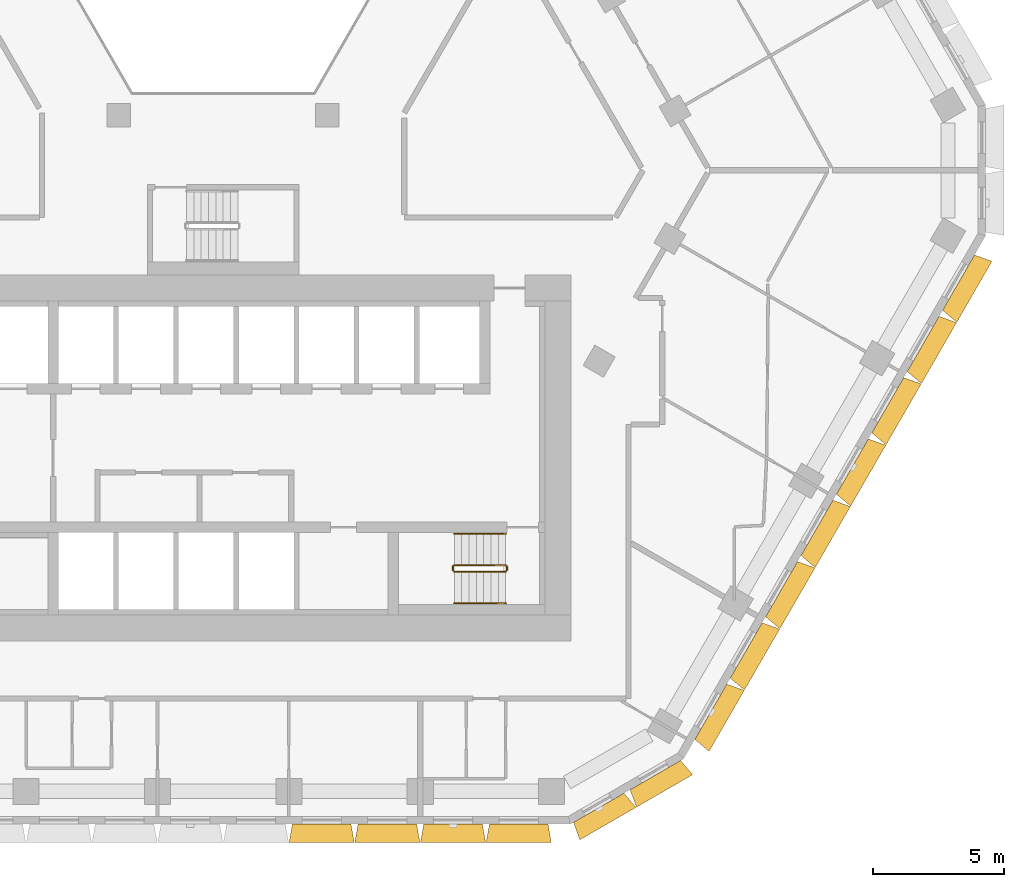
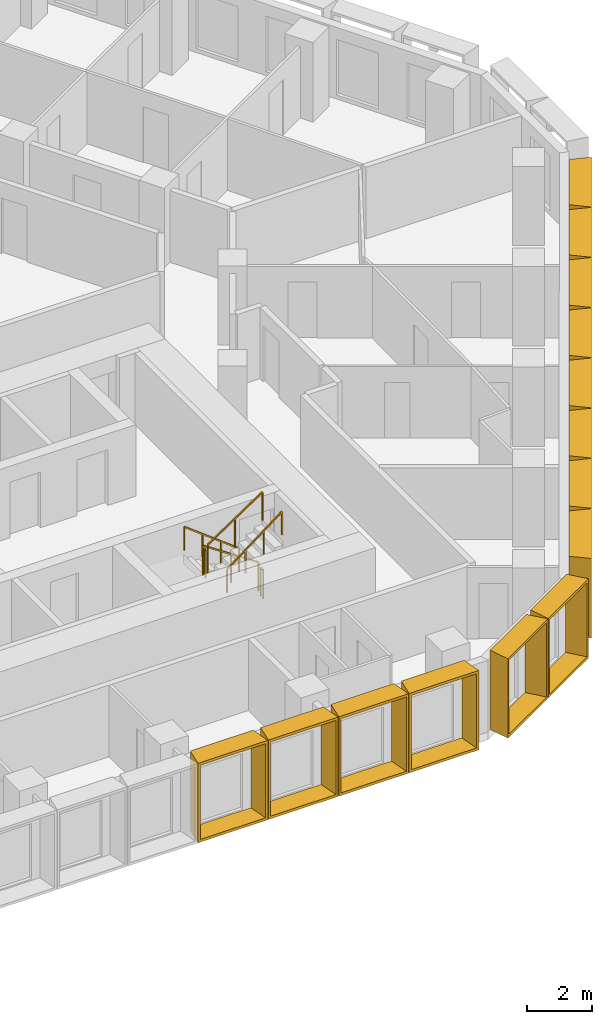
# One storey, part 17 of 18: 14 shading devices, 6 railings.
"""IFC4 building model written with IfcOpenShell, lengths in metres."""

from ifc_helpers import new_model, entity, si_unit, direction, frame, origin, origin_2d, place, context, subcontext, project, spatial, rectangle, extrude, source, transform, mapped, material, type_object, type_shapes, element, save


model = new_model("IFC4")

# Units and contexts
model_context = context("Model", 3, precision=1e-05, world=origin(), true_north=direction((0.0, 1.0)))
body_context = subcontext(model_context, "Body", "Model", "MODEL_VIEW")
ifc_project = project(units=[si_unit("LENGTHUNIT", "METRE"), si_unit("AREAUNIT", "SQUARE_METRE"), si_unit("VOLUMEUNIT", "CUBIC_METRE"), si_unit("PLANEANGLEUNIT", "RADIAN"), si_unit("MASSUNIT", "GRAM", prefix="KILO")], contexts=[model_context])

# Site, building, storey
site_placement = place(None, origin())
site = spatial("IfcSite", under=ifc_project, at=site_placement, CompositionType="ELEMENT")
building_placement = place(site_placement, origin())
building = spatial("IfcBuilding", under=site, at=building_placement, Name="Beryl Residences", CompositionType="ELEMENT")
storey_placement = place(building_placement, frame((0.0, 0.0, 99.0)))
storey = spatial("IfcBuildingStorey", under=building, at=storey_placement, Name="L30", CompositionType="ELEMENT", Elevation=99.0)

# Shading devices
ifc_material_1 = material(Name="Aluminium pale anodised", Category="aluminium")
shading_device_type_1 = type_object("IfcShadingDeviceType", Name="FR250-70A OUTER SKIN frame 700 mm deep, splay 10/10 deg, 2500 x 3000 mm cell", PredefinedType="USERDEFINED", material=ifc_material_1)
cartesian_point_1 = entity("IfcCartesianPoint", [-1.116455078125, 0.0])
cartesian_point_2 = entity("IfcCartesianPoint", [-1.03515625, 0.10009765625])
cartesian_point_3 = entity("IfcCartesianPoint", [-1.239990234375, 0.0])
cartesian_point_4 = entity("IfcCartesianPoint", [-1.15869140625, 0.10009765625])
shared_shape_1 = source(origin(), body_context, "Body", "SweptSolid", [
    entity("IfcExtrudedAreaSolidTapered", entity("IfcArbitraryProfileDefWithVoids", "AREA", None, entity("IfcPolyline", [cartesian_point_1, entity("IfcCartesianPoint", [1.116455078125, 0.0]), entity("IfcCartesianPoint", [1.116455078125, 3.0]), entity("IfcCartesianPoint", [-1.116455078125, 3.0]), cartesian_point_1]), [entity("IfcPolyline", [cartesian_point_2, entity("IfcCartesianPoint", [1.03515625, 0.10009765625]), entity("IfcCartesianPoint", [1.03515625, 2.89990234375]), entity("IfcCartesianPoint", [-1.03515625, 2.89990234375]), cartesian_point_2])]), entity("IfcAxis2Placement3D", entity("IfcCartesianPoint", [0.0, 0.0, 0.0]), entity("IfcDirection", [0.0, 1.0, 0.0]), entity("IfcDirection", [-1.0, 0.0, 0.0])), entity("IfcDirection", [0.0, 0.0, 1.0]), 0.699951171875, entity("IfcArbitraryProfileDefWithVoids", "AREA", None, entity("IfcPolyline", [cartesian_point_3, entity("IfcCartesianPoint", [1.239990234375, 0.0]), entity("IfcCartesianPoint", [1.239990234375, 3.0]), entity("IfcCartesianPoint", [-1.239990234375, 3.0]), cartesian_point_3]), [entity("IfcPolyline", [cartesian_point_4, entity("IfcCartesianPoint", [1.15869140625, 0.10009765625]), entity("IfcCartesianPoint", [1.15869140625, 2.89990234375]), entity("IfcCartesianPoint", [-1.15869140625, 2.89990234375]), cartesian_point_4])])),
])
type_shapes(shading_device_type_1, [shared_shape_1])
for number, where, z_axis, x_axis, name in (
    (1, (14.361083984375, -25.375, 0.0), (0.0, 0.0, 1.0), (-0.866025403784, -0.5, 0.0), "FR250-70A frame L30 S-SE 1"),
    (2, (16.527099609375, -24.125, 0.0), (0.0, 0.0, 1.0), (-0.866025403784, -0.5, 0.0), "FR250-70A frame L30 S-SE 2"),
):
    element("IfcShadingDevice", number, at=place(storey_placement, frame(where, z_axis=z_axis, x_axis=x_axis)), inside=storey, type_object=shading_device_type_1, Name=name, ObjectType="OUTER SKIN", PredefinedType="USERDEFINED", context=body_context, shape_type="MappedRepresentation", body=[
        mapped(shared_shape_1, transform((0.0, 0.0, 0.0))),
    ])
ifc_material_2 = material(Name="Aluminium pale anodised", Category="aluminium")
shading_device_type_2 = type_object("IfcShadingDeviceType", Name="FR251-70A OUTER SKIN frame 700 mm deep, splay 10/10 deg, 2510 x 3000 mm cell", PredefinedType="USERDEFINED", material=ifc_material_2)
cartesian_point_5 = entity("IfcCartesianPoint", [-1.12158203125, 0.0])
cartesian_point_6 = entity("IfcCartesianPoint", [-1.040283203125, 0.10009765625])
cartesian_point_7 = entity("IfcCartesianPoint", [-1.244873046875, 0.0])
cartesian_point_8 = entity("IfcCartesianPoint", [-1.16357421875, 0.10009765625])
shared_shape_2 = source(origin(), body_context, "Body", "SweptSolid", [
    entity("IfcExtrudedAreaSolidTapered", entity("IfcArbitraryProfileDefWithVoids", "AREA", None, entity("IfcPolyline", [cartesian_point_5, entity("IfcCartesianPoint", [1.12158203125, 0.0]), entity("IfcCartesianPoint", [1.12158203125, 3.0]), entity("IfcCartesianPoint", [-1.12158203125, 3.0]), cartesian_point_5]), [entity("IfcPolyline", [cartesian_point_6, entity("IfcCartesianPoint", [1.040283203125, 0.10009765625]), entity("IfcCartesianPoint", [1.040283203125, 2.89990234375]), entity("IfcCartesianPoint", [-1.040283203125, 2.89990234375]), cartesian_point_6])]), entity("IfcAxis2Placement3D", entity("IfcCartesianPoint", [0.0, 0.0, 0.0]), entity("IfcDirection", [0.0, 1.0, 0.0]), entity("IfcDirection", [-1.0, 0.0, 0.0])), entity("IfcDirection", [0.0, 0.0, 1.0]), 0.699951171875, entity("IfcArbitraryProfileDefWithVoids", "AREA", None, entity("IfcPolyline", [cartesian_point_7, entity("IfcCartesianPoint", [1.244873046875, 0.0]), entity("IfcCartesianPoint", [1.244873046875, 3.0]), entity("IfcCartesianPoint", [-1.244873046875, 3.0]), cartesian_point_7]), [entity("IfcPolyline", [cartesian_point_8, entity("IfcCartesianPoint", [1.16357421875, 0.10009765625]), entity("IfcCartesianPoint", [1.16357421875, 2.89990234375]), entity("IfcCartesianPoint", [-1.16357421875, 2.89990234375]), cartesian_point_8])])),
])
type_shapes(shading_device_type_2, [shared_shape_2])
for number, where, z_axis, x_axis, name in (
    (3, (3.76806640625, -26.0, 0.0), (0.0, 0.0, 1.0), (-1.0, 0.0, 0.0), "FR251-70A frame L30 S 7"),
    (4, (6.279052734375, -26.0, 0.0), (0.0, 0.0, 1.0), (-1.0, 0.0, 0.0), "FR251-70A frame L30 S 8"),
    (5, (8.791015625, -26.0, 0.0), (0.0, 0.0, 1.0), (-1.0, 0.0, 0.0), "FR251-70A frame L30 S 9"),
    (6, (11.302001953125, -26.0, 0.0), (0.0, 0.0, 1.0), (-1.0, 0.0, 0.0), "FR251-70A frame L30 S 10"),
):
    element("IfcShadingDevice", number, at=place(storey_placement, frame(where, z_axis=z_axis, x_axis=x_axis)), inside=storey, type_object=shading_device_type_2, Name=name, ObjectType="OUTER SKIN", PredefinedType="USERDEFINED", context=body_context, shape_type="MappedRepresentation", body=[
        mapped(shared_shape_2, transform((0.0, 0.0, 0.0))),
    ])
ifc_material_3 = material(Name="Aluminium pale anodised", Category="aluminium")
shading_device_type_3 = type_object("IfcShadingDeviceType", Name="FR271-70A OUTER SKIN frame 700 mm deep, splay 10/10 deg, 2710 x 3000 mm cell", PredefinedType="USERDEFINED", material=ifc_material_3)
cartesian_point_9 = entity("IfcCartesianPoint", [-1.221435546875, 0.0])
cartesian_point_10 = entity("IfcCartesianPoint", [-1.140380859375, 0.10009765625])
cartesian_point_11 = entity("IfcCartesianPoint", [-1.344970703125, 0.0])
cartesian_point_12 = entity("IfcCartesianPoint", [-1.263671875, 0.10009765625])
shared_shape_3 = source(origin(), body_context, "Body", "SweptSolid", [
    entity("IfcExtrudedAreaSolidTapered", entity("IfcArbitraryProfileDefWithVoids", "AREA", None, entity("IfcPolyline", [cartesian_point_9, entity("IfcCartesianPoint", [1.221435546875, 0.0]), entity("IfcCartesianPoint", [1.221435546875, 3.0]), entity("IfcCartesianPoint", [-1.221435546875, 3.0]), cartesian_point_9]), [entity("IfcPolyline", [cartesian_point_10, entity("IfcCartesianPoint", [1.140380859375, 0.10009765625]), entity("IfcCartesianPoint", [1.140380859375, 2.89990234375]), entity("IfcCartesianPoint", [-1.140380859375, 2.89990234375]), cartesian_point_10])]), entity("IfcAxis2Placement3D", entity("IfcCartesianPoint", [0.0, 0.0, 0.0]), entity("IfcDirection", [0.0, 1.0, 0.0]), entity("IfcDirection", [-1.0, 0.0, 0.0])), entity("IfcDirection", [0.0, 0.0, 1.0]), 0.699951171875, entity("IfcArbitraryProfileDefWithVoids", "AREA", None, entity("IfcPolyline", [cartesian_point_11, entity("IfcCartesianPoint", [1.344970703125, 0.0]), entity("IfcCartesianPoint", [1.344970703125, 3.0]), entity("IfcCartesianPoint", [-1.344970703125, 3.0]), cartesian_point_11]), [entity("IfcPolyline", [cartesian_point_12, entity("IfcCartesianPoint", [1.263671875, 0.10009765625]), entity("IfcCartesianPoint", [1.263671875, 2.89990234375]), entity("IfcCartesianPoint", [-1.263671875, 2.89990234375]), cartesian_point_12])])),
])
type_shapes(shading_device_type_3, [shared_shape_3])
for number, where, z_axis, x_axis, name in (
    (7, (18.64697265625, -21.7041015625, 0.0), (0.0, 0.0, 1.0), (-0.5, -0.866025403784, 0.0), "FR271-70A frame L30 SE 1"),
    (8, (20.0, -19.360107421875, 0.0), (0.0, 0.0, 1.0), (-0.5, -0.866025403784, 0.0), "FR271-70A frame L30 SE 2"),
    (9, (21.35302734375, -17.01611328125, 0.0), (0.0, 0.0, 1.0), (-0.5, -0.866025403784, 0.0), "FR271-70A frame L30 SE 3"),
    (10, (22.7060546875, -14.672119140625, 0.0), (0.0, 0.0, 1.0), (-0.5, -0.866025403784, 0.0), "FR271-70A frame L30 SE 4"),
    (11, (24.06005859375, -12.327880859375, 0.0), (0.0, 0.0, 1.0), (-0.5, -0.866025403784, 0.0), "FR271-70A frame L30 SE 5"),
    (12, (25.4130859375, -9.98388671875, 0.0), (0.0, 0.0, 1.0), (-0.5, -0.866025403784, 0.0), "FR271-70A frame L30 SE 6"),
    (13, (26.76611328125, -7.639892578125, 0.0), (0.0, 0.0, 1.0), (-0.5, -0.866025403784, 0.0), "FR271-70A frame L30 SE 7"),
    (14, (28.118896484375, -5.2958984375, 0.0), (0.0, 0.0, 1.0), (-0.5, -0.866025403784, 0.0), "FR271-70A frame L30 SE 8"),
):
    element("IfcShadingDevice", number, at=place(storey_placement, frame(where, z_axis=z_axis, x_axis=x_axis)), inside=storey, type_object=shading_device_type_3, Name=name, ObjectType="OUTER SKIN", PredefinedType="USERDEFINED", context=body_context, shape_type="MappedRepresentation", body=[
        mapped(shared_shape_3, transform((0.0, 0.0, 0.0))),
    ])

# Railings
ifc_material_4 = material(Name="Stainless steel balustrade with glass infill", Category="steel")
railing_type_1 = type_object("IfcRailingType", Name="SG1 stair guard 1100 mm", PredefinedType="GUARDRAIL", material=ifc_material_4)
railing_1_placement = place(storey_placement, frame((10.800048828125, -16.10009765625, 0.1875)))
element("IfcRailing", 15, at=railing_1_placement, inside=storey, type_object=railing_type_1, Name="L30 ST-3 stair guard 1", PredefinedType="GUARDRAIL", context=body_context, shape_type="SweptSolid", body=[
    extrude(rectangle(XDim=0.048095703125, YDim=0.048095703125, at=origin_2d()), frame((0.0, 0.0, 1.076171875), z_axis=(-0.830902050051, 0.0, 0.556418712142), x_axis=(0.0, -1.0, 0.0)), (0.0, 0.0, 1.0), 2.35888671875),
    extrude(rectangle(XDim=0.0419921875, YDim=0.0419921875, at=origin_2d()), origin(), (0.0, 0.0, 1.0), 1.052001953125),
    extrude(rectangle(XDim=0.0419921875, YDim=0.0419921875, at=origin_2d()), frame((-0.97998046875, 0.0, 0.65625)), (0.0, 0.0, 1.0), 1.052001953125),
    extrude(rectangle(XDim=0.0419921875, YDim=0.0419921875, at=origin_2d()), frame((-1.9599609375, 0.0, 1.3125)), (0.0, 0.0, 1.0), 1.052001953125),
])
railing_2_placement = place(storey_placement, frame((8.7900390625, -16.14990234375, 1.5)))
element("IfcRailing", 16, at=railing_2_placement, inside=storey, type_object=railing_type_1, Name="L30 ST-3 stair guard 2", PredefinedType="GUARDRAIL", context=body_context, shape_type="SweptSolid", body=[
    extrude(rectangle(XDim=0.048095703125, YDim=0.048095703125, at=origin_2d()), frame((0.0, 0.0, 1.076171875), z_axis=(0.0, -1.0, 0.0), x_axis=(1.0, 0.0, 0.0)), (0.0, 0.0, 1.0), 0.150146484375),
    extrude(rectangle(XDim=0.0419921875, YDim=0.0419921875, at=origin_2d()), origin(), (0.0, 0.0, 1.0), 1.052001953125),
    extrude(rectangle(XDim=0.0419921875, YDim=0.0419921875, at=origin_2d()), frame((0.0, -0.150146484375, 0.0)), (0.0, 0.0, 1.0), 1.052001953125),
])
railing_3_placement = place(storey_placement, frame((8.840087890625, -16.35009765625, 1.6875)))
element("IfcRailing", 17, at=railing_3_placement, inside=storey, type_object=railing_type_1, Name="L30 ST-3 stair guard 3", PredefinedType="GUARDRAIL", context=body_context, shape_type="SweptSolid", body=[
    extrude(rectangle(XDim=0.048095703125, YDim=0.048095703125, at=origin_2d()), frame((0.0, 0.0, 1.076171875), z_axis=(0.830902050051, 0.0, 0.556418712142), x_axis=(0.0, 1.0, 0.0)), (0.0, 0.0, 1.0), 2.35888671875),
    extrude(rectangle(XDim=0.0419921875, YDim=0.0419921875, at=origin_2d()), origin(), (0.0, 0.0, 1.0), 1.052001953125),
    extrude(rectangle(XDim=0.0419921875, YDim=0.0419921875, at=origin_2d()), frame((0.97998046875, 0.0, 0.65625)), (0.0, 0.0, 1.0), 1.052001953125),
    extrude(rectangle(XDim=0.0419921875, YDim=0.0419921875, at=origin_2d()), frame((1.9599609375, 0.0, 1.3125)), (0.0, 0.0, 1.0), 1.052001953125),
])
railing_4_placement = place(storey_placement, frame((10.85009765625, -16.14990234375, 0.0)))
element("IfcRailing", 18, at=railing_4_placement, inside=storey, type_object=railing_type_1, Name="L30 ST-3 stair guard 4", PredefinedType="GUARDRAIL", context=body_context, shape_type="SweptSolid", body=[
    extrude(rectangle(XDim=0.048095703125, YDim=0.048095703125, at=origin_2d()), frame((0.0, 0.0, 1.076171875), z_axis=(0.0, -1.0, 0.0), x_axis=(1.0, 0.0, 0.0)), (0.0, 0.0, 1.0), 0.150146484375),
    extrude(rectangle(XDim=0.0419921875, YDim=0.0419921875, at=origin_2d()), origin(), (0.0, 0.0, 1.0), 1.052001953125),
    extrude(rectangle(XDim=0.0419921875, YDim=0.0419921875, at=origin_2d()), frame((0.0, -0.150146484375, 0.0)), (0.0, 0.0, 1.0), 1.052001953125),
])
ifc_material_5 = material(Name="Stainless steel handrail", Category="steel")
railing_type_2 = type_object("IfcRailingType", Name="SRL1 stair handrail 900 mm", PredefinedType="HANDRAIL", material=ifc_material_5)
railing_5_placement = place(storey_placement, frame((10.800048828125, -14.89990234375, 0.1875)))
element("IfcRailing", 19, at=railing_5_placement, inside=storey, type_object=railing_type_2, Name="L30 ST-3 stair handrail 1", PredefinedType="HANDRAIL", context=body_context, shape_type="SweptSolid", body=[
    extrude(rectangle(XDim=0.048095703125, YDim=0.048095703125, at=origin_2d()), frame((0.0, 0.0, 0.8759765625), z_axis=(-0.794121922505, 0.0, 0.607758481798), x_axis=(0.0, -1.0, 0.0)), (0.0, 0.0, 1.0), 2.468017578125),
    extrude(rectangle(XDim=0.0419921875, YDim=0.0419921875, at=origin_2d()), origin(), (0.0, 0.0, 1.0), 0.851806640625),
    extrude(rectangle(XDim=0.0419921875, YDim=0.0419921875, at=origin_2d()), frame((-0.6533203125, 0.0, 0.5)), (0.0, 0.0, 1.0), 0.851806640625),
    extrude(rectangle(XDim=0.0419921875, YDim=0.0419921875, at=origin_2d()), frame((-1.306640625, 0.0, 1.0)), (0.0, 0.0, 1.0), 0.851806640625),
    extrude(rectangle(XDim=0.0419921875, YDim=0.0419921875, at=origin_2d()), frame((-1.9599609375, 0.0, 1.5)), (0.0, 0.0, 1.0), 0.851806640625),
])
railing_6_placement = place(storey_placement, frame((8.840087890625, -17.550048828125, 1.6875)))
element("IfcRailing", 20, at=railing_6_placement, inside=storey, type_object=railing_type_2, Name="L30 ST-3 stair handrail 2", PredefinedType="HANDRAIL", context=body_context, shape_type="SweptSolid", body=[
    extrude(rectangle(XDim=0.048095703125, YDim=0.048095703125, at=origin_2d()), frame((0.0, 0.0, 0.8759765625), z_axis=(0.794121922505, 0.0, 0.607758481798), x_axis=(0.0, 1.0, 0.0)), (0.0, 0.0, 1.0), 2.468017578125),
    extrude(rectangle(XDim=0.0419921875, YDim=0.0419921875, at=origin_2d()), origin(), (0.0, 0.0, 1.0), 0.851806640625),
    extrude(rectangle(XDim=0.0419921875, YDim=0.0419921875, at=origin_2d()), frame((0.6533203125, 0.0, 0.5)), (0.0, 0.0, 1.0), 0.851806640625),
    extrude(rectangle(XDim=0.0419921875, YDim=0.0419921875, at=origin_2d()), frame((1.306640625, 0.0, 1.0)), (0.0, 0.0, 1.0), 0.851806640625),
    extrude(rectangle(XDim=0.0419921875, YDim=0.0419921875, at=origin_2d()), frame((1.9599609375, 0.0, 1.5)), (0.0, 0.0, 1.0), 0.851806640625),
])

save(model, "model.ifc")
